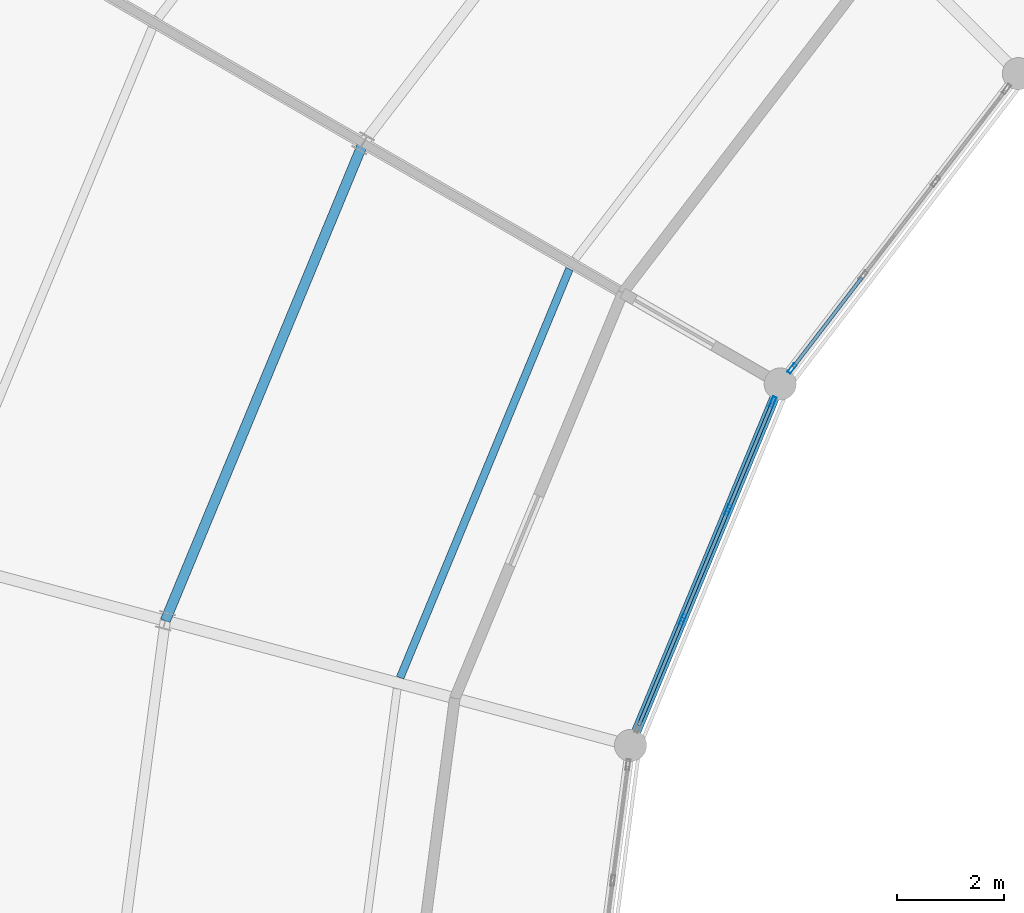
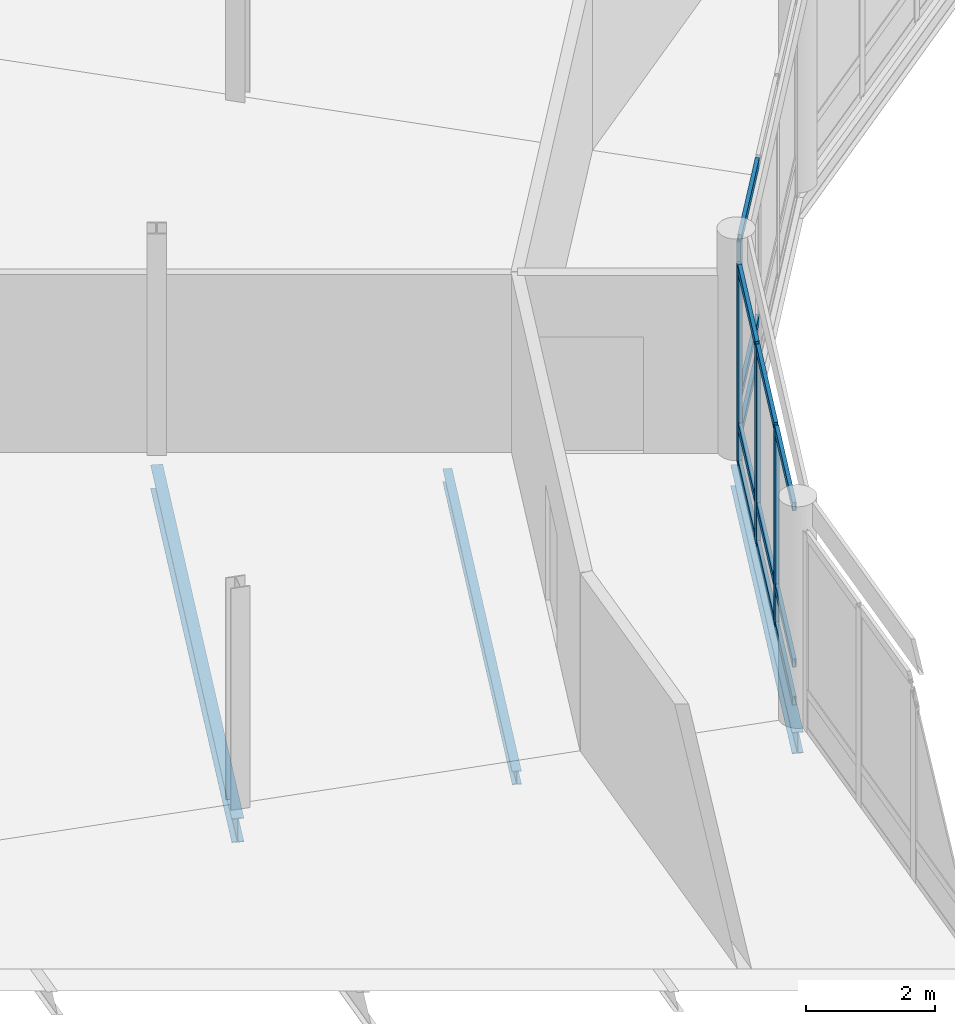
# One storey, part 64 of 170: 16 members, 3 beams, 2 elements without a shape of their own.
"""IFC4 building model written with IfcOpenShell, lengths in metres."""

import ifcopenshell
import ifcopenshell.guid

model = None  # the IFC model being written
_history = None  # IfcOwnerHistory: only IFC2X3 demands one
_inside = {}  # id of a spatial element -> (the spatial element, [elements in it])
_under = {}  # id of a project, library or spatial element -> (it, [spatial elements below it])
_declared = {}  # id of a project -> (the project, [libraries it declares])
_typed = {}  # id of a type object -> (the type object, [elements of that type])
_made_of = {}  # id of a material, layer set ... -> (it, [elements and type objects made of it])


def new_model(schema):
    """Start an empty IFC model of exactly this schema.

    Asked for "IFC4X3", IfcOpenShell would pick the latest addendum, in which some entities
    have other attributes; the version numbers below select the first issue.
    IFC2X3 requires an IfcOwnerHistory on every rooted entity: one is made here for all.
    """
    global model, _history
    if schema == "IFC4X3":
        model = ifcopenshell.file(schema_version=(4, 3, 0, 0))
    else:
        model = ifcopenshell.file(schema=schema)
    _inside.clear()
    _under.clear()
    _declared.clear()
    _typed.clear()
    _made_of.clear()
    _history = None
    if model.schema == "IFC2X3":
        org = make("IfcOrganization", Name="unknown")
        user = make(
            "IfcPersonAndOrganization",
            ThePerson=make("IfcPerson", FamilyName="unknown"),
            TheOrganization=org,
        )
        app = make(
            "IfcApplication",
            ApplicationDeveloper=org,
            Version="unknown",
            ApplicationFullName="unknown",
            ApplicationIdentifier="unknown",
        )
        _history = make(
            "IfcOwnerHistory",
            OwningUser=user,
            OwningApplication=app,
            ChangeAction="ADDED",
            CreationDate=0,
        )
    return model


def make(cls, **values):
    """One entity of the class cls with the attributes given. An attribute that is None is left unset."""
    return model.create_entity(
        cls, **{name: value for name, value in values.items() if value is not None}
    )


def rooted(cls, **values):
    """An entity with a GlobalId (a new one), such as an element, a storey or a relation."""
    return make(cls, GlobalId=ifcopenshell.guid.new(), OwnerHistory=_history, **values)


def si_unit(unit_type, name, prefix=None):
    """IfcSIUnit, for example si_unit("LENGTHUNIT", "METRE", prefix="MILLI")."""
    return make("IfcSIUnit", UnitType=unit_type, Prefix=prefix, Name=name)


def assignment(units):
    """IfcUnitAssignment: the units of a project."""
    return None if units is None else make("IfcUnitAssignment", Units=units)


def point(xyz):
    """IfcCartesianPoint."""
    return None if xyz is None else make("IfcCartesianPoint", Coordinates=xyz)


def direction(xyz):
    """IfcDirection."""
    return None if xyz is None else make("IfcDirection", DirectionRatios=xyz)


def frame(location, z_axis=None, x_axis=None):
    """IfcAxis2Placement3D, a coordinate frame: its origin and axes. An axis left out is left unset."""
    return make(
        "IfcAxis2Placement3D",
        Location=point(location),
        Axis=direction(z_axis),
        RefDirection=direction(x_axis),
    )


def frame_2d(location, x_axis=None):
    """IfcAxis2Placement2D, a coordinate frame in the plane: its origin and x axis."""
    return make(
        "IfcAxis2Placement2D", Location=point(location), RefDirection=direction(x_axis)
    )


def origin():
    """The frame at (0, 0, 0) with its axes left unset."""
    return frame((0.0, 0.0, 0.0))


def origin_2d():
    """The frame at (0, 0) in the plane with its x axis left unset."""
    return frame_2d((0.0, 0.0))


def place(relative_to, where):
    """IfcLocalPlacement: puts the frame where relative to a parent placement (None: the world)."""
    return make(
        "IfcLocalPlacement", PlacementRelTo=relative_to, RelativePlacement=where
    )


def context(
    kind, dimensions, precision=None, world=None, true_north=None, identifier=None
):
    """IfcGeometricRepresentationContext, for example the 3D "Model" context."""
    return make(
        "IfcGeometricRepresentationContext",
        ContextIdentifier=identifier,
        ContextType=kind,
        CoordinateSpaceDimension=dimensions,
        Precision=precision,
        WorldCoordinateSystem=world,
        TrueNorth=true_north,
    )


def subcontext(parent, identifier, kind, view, scale=None):
    """IfcGeometricRepresentationSubContext, for example "Body" below "Model"."""
    return make(
        "IfcGeometricRepresentationSubContext",
        ContextIdentifier=identifier,
        ContextType=kind,
        ParentContext=parent,
        TargetScale=scale,
        TargetView=view,
    )


def project(units=None, contexts=None):
    """IfcProject with its units and contexts."""
    return rooted(
        "IfcProject",
        Name="project",
        RepresentationContexts=contexts,
        UnitsInContext=assignment(units),
    )


def spatial(cls, under=None, at=None, **own):
    """A site, building, storey or space (cls), placed at a placement, below another one or the project."""
    s = rooted(cls, ObjectPlacement=at, **own)
    if under is not None:
        _under.setdefault(under.id(), (under, []))[1].append(s)
    return s


def profile(cls, at=None, kind="AREA", **sizes):
    """A parametric profile (cls). Its sizes go by their IFC names, for example OverallWidth=200.0."""
    return make(cls, ProfileType=kind, Position=at, **sizes)


def hollow_rectangle(**sizes):
    """IfcRectangleHollowProfileDef."""
    return profile("IfcRectangleHollowProfileDef", **sizes)


def i_section(**sizes):
    """IfcIShapeProfileDef."""
    return profile("IfcIShapeProfileDef", **sizes)


def extrude(swept, where, along, depth):
    """IfcExtrudedAreaSolid: the profile swept, set in the frame where, extruded along a direction by depth."""
    return make(
        "IfcExtrudedAreaSolid",
        SweptArea=swept,
        Position=where,
        ExtrudedDirection=direction(along),
        Depth=depth,
    )


def shape(context_of_items, identifier, shape_type, items):
    """IfcShapeRepresentation: the items that make up one representation, for example the "Body"."""
    return make(
        "IfcShapeRepresentation",
        ContextOfItems=context_of_items,
        RepresentationIdentifier=identifier,
        RepresentationType=shape_type,
        Items=items,
    )


def material(Name=None, Category=None):
    """IfcMaterial."""
    return make("IfcMaterial", Name=Name, Category=Category)


def material_profile(
    of_material, cross_section, Name=None, Category=None, Priority=None
):
    """IfcMaterialProfile: a cross section and its material."""
    return make(
        "IfcMaterialProfile",
        Name=Name,
        Material=of_material,
        Profile=cross_section,
        Priority=Priority,
        Category=Category,
    )


def profile_set(profiles, Name=None, composite=None):
    """IfcMaterialProfileSet."""
    return make(
        "IfcMaterialProfileSet",
        Name=Name,
        MaterialProfiles=profiles,
        CompositeProfile=composite,
    )


def made_of(thing, what):
    """Note that an element or type object is made of a material, layer set ...; save() writes the relation."""
    if what is not None:
        _made_of.setdefault(what.id(), (what, []))[1].append(thing)
    return thing


def type_object(cls, material=None, **own):
    """A type object (cls), such as IfcWallType, which elements share."""
    return made_of(rooted(cls, **own), material)


def element(
    cls,
    number,
    at=None,
    inside=None,
    cuts=None,
    type_object=None,
    material=None,
    context=None,
    identifier="Body",
    shape_type=None,
    held_by="IfcProductDefinitionShape",
    body=None,
    shapes=None,
    **own,
):
    """One element of the class cls, such as IfcWall. Its Tag is "e" and its number.

    at: its placement. inside: the storey or other place that contains it. cuts: it is an
    opening in that element (IfcRelVoidsElement). A single representation is given by context,
    identifier, shape_type and body (its items); several are given by shapes. held_by: the class
    of the entity that holds the representations. save() writes the other relations.
    """
    e = rooted(cls, Tag="e%d" % number, ObjectPlacement=at, **own)
    if body is not None:
        shapes = [shape(context, identifier, shape_type, body)]
    if shapes is not None:
        e.Representation = make(held_by, Representations=shapes)
    if inside is not None:
        _inside.setdefault(inside.id(), (inside, []))[1].append(e)
    if cuts is not None:
        rooted(
            "IfcRelVoidsElement", RelatingBuildingElement=cuts, RelatedOpeningElement=e
        )
    if type_object is not None:
        _typed.setdefault(type_object.id(), (type_object, []))[1].append(e)
    return made_of(e, material)


def aggregate(whole, parts):
    """IfcRelAggregates: a whole, such as a stair, and the parts it consists of."""
    return rooted("IfcRelAggregates", RelatingObject=whole, RelatedObjects=parts)


def save(model, path):
    """Write the relations noted so far, then the file.

    IfcRelAggregates (storeys below a building ...), IfcRelContainedInSpatialStructure (elements
    in a storey), IfcRelDefinesByType, IfcRelAssociatesMaterial and IfcRelDeclares: one each for
    every whole, place, type object, material and project.
    """
    for whole, parts in _under.values():
        aggregate(whole, parts)
    for where, things in _inside.values():
        rooted(
            "IfcRelContainedInSpatialStructure",
            RelatedElements=things,
            RelatingStructure=where,
        )
    for kind, things in _typed.values():
        rooted("IfcRelDefinesByType", RelatedObjects=things, RelatingType=kind)
    for what, things in _made_of.values():
        rooted("IfcRelAssociatesMaterial", RelatedObjects=things, RelatingMaterial=what)
    for by, libraries in _declared.values():
        rooted("IfcRelDeclares", RelatingContext=by, RelatedDefinitions=libraries)
    model.write(path)


model = new_model("IFC4")

# Units and contexts
model_context = context("Model", 3, precision=1e-05, world=origin(), true_north=direction((0.0, 1.0)))
body_context = subcontext(model_context, "Body", "Model", "MODEL_VIEW")
ifc_project = project(units=[si_unit("LENGTHUNIT", "METRE"), si_unit("AREAUNIT", "SQUARE_METRE"), si_unit("VOLUMEUNIT", "CUBIC_METRE"), si_unit("PLANEANGLEUNIT", "RADIAN"), si_unit("MASSUNIT", "GRAM", prefix="KILO")], contexts=[model_context])

# Site, building, storey
site_placement = place(None, origin())
site = spatial("IfcSite", under=ifc_project, at=site_placement, CompositionType="ELEMENT")
building_placement = place(site_placement, origin())
building = spatial("IfcBuilding", under=site, at=building_placement, Name="Vondelvale Polytechnic", CompositionType="ELEMENT")
storey_placement = place(building_placement, frame((0.0, 0.0, 5.39990234375)))
storey = spatial("IfcBuildingStorey", under=building, at=storey_placement, Name="L01", CompositionType="ELEMENT", Elevation=5.39990234375)

# Beams
ifc_material_1 = material(Name="Steel 300PLUS (fy = 300 MPa)", Category="steel")
ifc_material_profile_1 = material_profile(ifc_material_1, i_section(OverallWidth=0.177978515625, OverallDepth=0.406005859375, WebThickness=0.0078125, FlangeThickness=0.0126953125, FilletRadius=0.011474609375, at=origin_2d()), Name="410UB59.7")
ifc_profile_set_1 = profile_set([ifc_material_profile_1], Name="Steel 300PLUS (fy = 300 MPa)")
beam_type_1 = type_object("IfcBeamType", Name="BM-UB410", PredefinedType="BEAM", material=ifc_profile_set_1)
beam_1_placement = place(storey_placement, frame((77.751220703125, 86.0, -0.48291015625), z_axis=(-0.382667428841, -0.923886161226, 0.0), x_axis=(0.923886161226, -0.382667428841, 0.0)))
element("IfcBeam", 1, at=beam_1_placement, inside=storey, type_object=beam_type_1, Name="L01 RB B-14", PredefinedType="BEAM", context=body_context, shape_type="SweptSolid", body=[
    extrude(i_section(OverallWidth=0.177978515625, OverallDepth=0.406005859375, WebThickness=0.0078125, FlangeThickness=0.0126953125, FilletRadius=0.011474609375, at=origin_2d()), origin(), (0.0, 0.0, 1.0), 7.3095703125),
])
ifc_material_profile_2 = material_profile(ifc_material_1, i_section(OverallWidth=0.19091796875, OverallDepth=0.4599609375, WebThickness=0.010009765625, FlangeThickness=0.01611328125, FilletRadius=0.011474609375, at=origin_2d()), Name="460UB82.1")
ifc_profile_set_2 = profile_set([ifc_material_profile_2], Name="Steel 300PLUS (fy = 300 MPa)")
beam_type_2 = type_object("IfcBeamType", Name="BM-UB460H", PredefinedType="BEAM", material=ifc_profile_set_2)
beam_2_placement = place(storey_placement, frame((69.95703125, 90.5, -0.510009765625), z_axis=(-0.38268516011, -0.923878816854, 0.0), x_axis=(0.923878816854, -0.38268516011, 0.0)))
element("IfcBeam", 2, at=beam_2_placement, inside=storey, type_object=beam_type_2, Name="L01 RB B-12", PredefinedType="BEAM", context=body_context, shape_type="SweptSolid", body=[
    extrude(i_section(OverallWidth=0.19091796875, OverallDepth=0.4599609375, WebThickness=0.010009765625, FlangeThickness=0.01611328125, FilletRadius=0.011474609375, at=origin_2d()), origin(), (0.0, 0.0, 1.0), 9.658935546875),
])

# Curtain wall, member
ifc_material_2 = material(Name="Anodised extruded aluminium 6063-T6", Category="aluminium")
curtain_wall_type = type_object("IfcCurtainWallType", Name="CW-RING-CLOISTER", PredefinedType="NOTDEFINED", material=ifc_material_2)
curtain_wall_1_placement = place(storey_placement, origin())
curtain_wall_1 = element("IfcCurtainWall", 3, at=curtain_wall_1_placement, inside=storey, type_object=curtain_wall_type, Name="L01 architectural curtain wall CW-03-213", PredefinedType="NOTDEFINED")
ifc_material_profile_3 = material_profile(ifc_material_2, hollow_rectangle(XDim=0.070068359375, YDim=0.199951171875, WallThickness=0.00390625, at=origin_2d()), Name="CW-MUL-200x70")
ifc_profile_set_3 = profile_set([ifc_material_profile_3], Name="Anodised extruded aluminium 6063-T6")
member_type_1 = type_object("IfcMemberType", Name="CW-MUL-70x200", PredefinedType="MULLION", material=ifc_profile_set_3)
member_1_placement = place(storey_placement, frame((77.97265625, 86.28857421875, 0.0), z_axis=(0.0, 0.0, 1.0), x_axis=(0.793363861089, -0.608747717793, 0.0)))
member_1 = element("IfcMember", 4, at=member_1_placement, type_object=member_type_1, Name="CW-03-213 mullion 4", PredefinedType="MULLION", context=body_context, shape_type="SweptSolid", body=[
    extrude(hollow_rectangle(XDim=0.070068359375, YDim=0.199951171875, WallThickness=0.00390625, at=origin_2d()), origin(), (0.0, 0.0, 1.0), 3.75),
])

# Curtain wall, members
curtain_wall_2_placement = place(storey_placement, origin())
curtain_wall_2 = element("IfcCurtainWall", 5, at=curtain_wall_2_placement, inside=storey, type_object=curtain_wall_type, Name="L01 architectural curtain wall CW-03-229", PredefinedType="NOTDEFINED")
member_2_placement = place(storey_placement, frame((77.611572265625, 85.662841796875, 0.0), z_axis=(0.0, 0.0, 1.0), x_axis=(0.923881562419, -0.382678531697, 0.0)))
member_2 = element("IfcMember", 6, at=member_2_placement, type_object=member_type_1, Name="CW-03-229 mullion 1", PredefinedType="MULLION", context=body_context, shape_type="SweptSolid", body=[
    extrude(hollow_rectangle(XDim=0.070068359375, YDim=0.199951171875, WallThickness=0.00390625, at=origin_2d()), origin(), (0.0, 0.0, 1.0), 3.75),
])
member_3_placement = place(storey_placement, frame((76.77685546875, 83.647216796875, 0.0), z_axis=(0.0, 0.0, 1.0), x_axis=(0.923881562419, -0.382678531697, 0.0)))
member_3 = element("IfcMember", 7, at=member_3_placement, type_object=member_type_1, Name="CW-03-229 mullion 2", PredefinedType="MULLION", context=body_context, shape_type="SweptSolid", body=[
    extrude(hollow_rectangle(XDim=0.070068359375, YDim=0.199951171875, WallThickness=0.00390625, at=origin_2d()), origin(), (0.0, 0.0, 1.0), 3.75),
])
member_4_placement = place(storey_placement, frame((75.9287109375, 81.599609375, 0.0), z_axis=(0.0, 0.0, 1.0), x_axis=(0.923881562419, -0.382678531697, 0.0)))
member_4 = element("IfcMember", 8, at=member_4_placement, type_object=member_type_1, Name="CW-03-229 mullion 3", PredefinedType="MULLION", context=body_context, shape_type="SweptSolid", body=[
    extrude(hollow_rectangle(XDim=0.070068359375, YDim=0.199951171875, WallThickness=0.00390625, at=origin_2d()), origin(), (0.0, 0.0, 1.0), 3.75),
])

# Member
ifc_material_profile_4 = material_profile(ifc_material_2, hollow_rectangle(XDim=0.06494140625, YDim=0.159912109375, WallThickness=0.00341796875, at=origin_2d()), Name="CW-TRN-160x65")
ifc_profile_set_4 = profile_set([ifc_material_profile_4], Name="Anodised extruded aluminium 6063-T6")
member_type_2 = type_object("IfcMemberType", Name="CW-TRN-70x160", PredefinedType="USERDEFINED", material=ifc_profile_set_4)
member_5_placement = place(storey_placement, frame((79.280029296875, 87.9921875, 0.03271484375), z_axis=(-0.608783266169, -0.793336583571, 0.0), x_axis=(0.793336583571, -0.608783266169, 0.0)))
member_5 = element("IfcMember", 9, at=member_5_placement, type_object=member_type_2, Name="CW-03-213 transom 3.1", ObjectType="TRANSOM", PredefinedType="USERDEFINED", context=body_context, shape_type="SweptSolid", body=[
    extrude(hollow_rectangle(XDim=0.06494140625, YDim=0.159912109375, WallThickness=0.00341796875, at=origin_2d()), origin(), (0.0, 0.0, 1.0), 2.112548828125),
])

member_6_placement = place(storey_placement, frame((79.280029296875, 87.9921875, 0.75), z_axis=(-0.608783266169, -0.793336583571, 0.0), x_axis=(0.793336583571, -0.608783266169, 0.0)))
member_6 = element("IfcMember", 10, at=member_6_placement, type_object=member_type_2, Name="CW-03-213 transom 3.2", ObjectType="TRANSOM", PredefinedType="USERDEFINED", context=body_context, shape_type="SweptSolid", body=[
    extrude(hollow_rectangle(XDim=0.06494140625, YDim=0.159912109375, WallThickness=0.00341796875, at=origin_2d()), origin(), (0.0, 0.0, 1.0), 2.112548828125),
])

member_7_placement = place(storey_placement, frame((79.280029296875, 87.9921875, 3.717529296875), z_axis=(-0.608783266169, -0.793336583571, 0.0), x_axis=(0.793336583571, -0.608783266169, 0.0)))
member_7 = element("IfcMember", 11, at=member_7_placement, type_object=member_type_2, Name="CW-03-213 transom 3.3", ObjectType="TRANSOM", PredefinedType="USERDEFINED", context=body_context, shape_type="SweptSolid", body=[
    extrude(hollow_rectangle(XDim=0.06494140625, YDim=0.159912109375, WallThickness=0.00341796875, at=origin_2d()), origin(), (0.0, 0.0, 1.0), 2.112548828125),
])

aggregate(curtain_wall_1, [member_1, member_5, member_6, member_7])

member_8_placement = place(storey_placement, frame((77.59814453125, 85.63037109375, 0.03271484375), z_axis=(-0.382627532503, -0.923902685011, 0.0), x_axis=(0.923902685011, -0.382627532503, 0.0)))
member_8 = element("IfcMember", 12, at=member_8_placement, type_object=member_type_2, Name="CW-03-229 transom 1.1", ObjectType="TRANSOM", PredefinedType="USERDEFINED", context=body_context, shape_type="SweptSolid", body=[
    extrude(hollow_rectangle(XDim=0.06494140625, YDim=0.159912109375, WallThickness=0.00341796875, at=origin_2d()), origin(), (0.0, 0.0, 1.0), 2.111328125),
])

member_9_placement = place(storey_placement, frame((77.59814453125, 85.63037109375, 0.75), z_axis=(-0.382627532503, -0.923902685011, 0.0), x_axis=(0.923902685011, -0.382627532503, 0.0)))
member_9 = element("IfcMember", 13, at=member_9_placement, type_object=member_type_2, Name="CW-03-229 transom 1.2", ObjectType="TRANSOM", PredefinedType="USERDEFINED", context=body_context, shape_type="SweptSolid", body=[
    extrude(hollow_rectangle(XDim=0.06494140625, YDim=0.159912109375, WallThickness=0.00341796875, at=origin_2d()), origin(), (0.0, 0.0, 1.0), 2.111328125),
])

member_10_placement = place(storey_placement, frame((77.59814453125, 85.63037109375, 3.717529296875), z_axis=(-0.382627532503, -0.923902685011, 0.0), x_axis=(0.923902685011, -0.382627532503, 0.0)))
member_10 = element("IfcMember", 14, at=member_10_placement, type_object=member_type_2, Name="CW-03-229 transom 1.3", ObjectType="TRANSOM", PredefinedType="USERDEFINED", context=body_context, shape_type="SweptSolid", body=[
    extrude(hollow_rectangle(XDim=0.06494140625, YDim=0.159912109375, WallThickness=0.00341796875, at=origin_2d()), origin(), (0.0, 0.0, 1.0), 2.111328125),
])

member_11_placement = place(storey_placement, frame((76.763427734375, 83.614990234375, 0.03271484375), z_axis=(-0.382716752649, -0.923865730094, 0.0), x_axis=(0.923865730094, -0.382716752649, 0.0)))
member_11 = element("IfcMember", 15, at=member_11_placement, type_object=member_type_2, Name="CW-03-229 transom 2.1", ObjectType="TRANSOM", PredefinedType="USERDEFINED", context=body_context, shape_type="SweptSolid", body=[
    extrude(hollow_rectangle(XDim=0.06494140625, YDim=0.159912109375, WallThickness=0.00341796875, at=origin_2d()), origin(), (0.0, 0.0, 1.0), 2.146484375),
])

member_12_placement = place(storey_placement, frame((76.763427734375, 83.614990234375, 0.75), z_axis=(-0.382716752649, -0.923865730094, 0.0), x_axis=(0.923865730094, -0.382716752649, 0.0)))
member_12 = element("IfcMember", 16, at=member_12_placement, type_object=member_type_2, Name="CW-03-229 transom 2.2", ObjectType="TRANSOM", PredefinedType="USERDEFINED", context=body_context, shape_type="SweptSolid", body=[
    extrude(hollow_rectangle(XDim=0.06494140625, YDim=0.159912109375, WallThickness=0.00341796875, at=origin_2d()), origin(), (0.0, 0.0, 1.0), 2.146484375),
])

member_13_placement = place(storey_placement, frame((76.763427734375, 83.614990234375, 3.717529296875), z_axis=(-0.382716752649, -0.923865730094, 0.0), x_axis=(0.923865730094, -0.382716752649, 0.0)))
member_13 = element("IfcMember", 17, at=member_13_placement, type_object=member_type_2, Name="CW-03-229 transom 2.3", ObjectType="TRANSOM", PredefinedType="USERDEFINED", context=body_context, shape_type="SweptSolid", body=[
    extrude(hollow_rectangle(XDim=0.06494140625, YDim=0.159912109375, WallThickness=0.00341796875, at=origin_2d()), origin(), (0.0, 0.0, 1.0), 2.146484375),
])

member_14_placement = place(storey_placement, frame((75.915283203125, 81.567138671875, 0.03271484375), z_axis=(-0.382726229306, -0.923861804277, 0.0), x_axis=(0.923861804277, -0.382726229306, 0.0)))
member_14 = element("IfcMember", 18, at=member_14_placement, type_object=member_type_2, Name="CW-03-229 transom 3.1", ObjectType="TRANSOM", PredefinedType="USERDEFINED", context=body_context, shape_type="SweptSolid", body=[
    extrude(hollow_rectangle(XDim=0.06494140625, YDim=0.159912109375, WallThickness=0.00341796875, at=origin_2d()), origin(), (0.0, 0.0, 1.0), 2.111328125),
])

member_15_placement = place(storey_placement, frame((75.915283203125, 81.567138671875, 0.75), z_axis=(-0.382726229306, -0.923861804277, 0.0), x_axis=(0.923861804277, -0.382726229306, 0.0)))
member_15 = element("IfcMember", 19, at=member_15_placement, type_object=member_type_2, Name="CW-03-229 transom 3.2", ObjectType="TRANSOM", PredefinedType="USERDEFINED", context=body_context, shape_type="SweptSolid", body=[
    extrude(hollow_rectangle(XDim=0.06494140625, YDim=0.159912109375, WallThickness=0.00341796875, at=origin_2d()), origin(), (0.0, 0.0, 1.0), 2.111328125),
])

member_16_placement = place(storey_placement, frame((75.915283203125, 81.567138671875, 3.717529296875), z_axis=(-0.382726229306, -0.923861804277, 0.0), x_axis=(0.923861804277, -0.382726229306, 0.0)))
member_16 = element("IfcMember", 20, at=member_16_placement, type_object=member_type_2, Name="CW-03-229 transom 3.3", ObjectType="TRANSOM", PredefinedType="USERDEFINED", context=body_context, shape_type="SweptSolid", body=[
    extrude(hollow_rectangle(XDim=0.06494140625, YDim=0.159912109375, WallThickness=0.00341796875, at=origin_2d()), origin(), (0.0, 0.0, 1.0), 2.111328125),
])

aggregate(curtain_wall_2, [member_2, member_3, member_4, member_8, member_9, member_10, member_11, member_12, member_13, member_14, member_15, member_16])

# Beam
ifc_material_profile_5 = material_profile(ifc_material_1, i_section(OverallWidth=0.14599609375, OverallDepth=0.256103515625, WebThickness=0.00634765625, FlangeThickness=0.010986328125, FilletRadius=0.0087890625, at=origin_2d()), Name="250UB37.3")
ifc_profile_set_5 = profile_set([ifc_material_profile_5], Name="Steel 300PLUS (fy = 300 MPa)")
beam_type_3 = type_object("IfcBeamType", Name="JST-UB250", PredefinedType="JOIST", material=ifc_profile_set_5)
beam_3_placement = place(storey_placement, frame((73.81201171875, 88.1484375, -0.407958984375), z_axis=(-0.38268053388, -0.923880733098, 0.0), x_axis=(0.923880733098, -0.38268053388, 0.0)))
element("IfcBeam", 21, at=beam_3_placement, inside=storey, type_object=beam_type_3, Name="L01 RJ J-06", PredefinedType="JOIST", context=body_context, shape_type="SweptSolid", body=[
    extrude(i_section(OverallWidth=0.14599609375, OverallDepth=0.256103515625, WebThickness=0.00634765625, FlangeThickness=0.010986328125, FilletRadius=0.0087890625, at=origin_2d()), origin(), (0.0, 0.0, 1.0), 8.264404296875),
])

save(model, "model.ifc")
